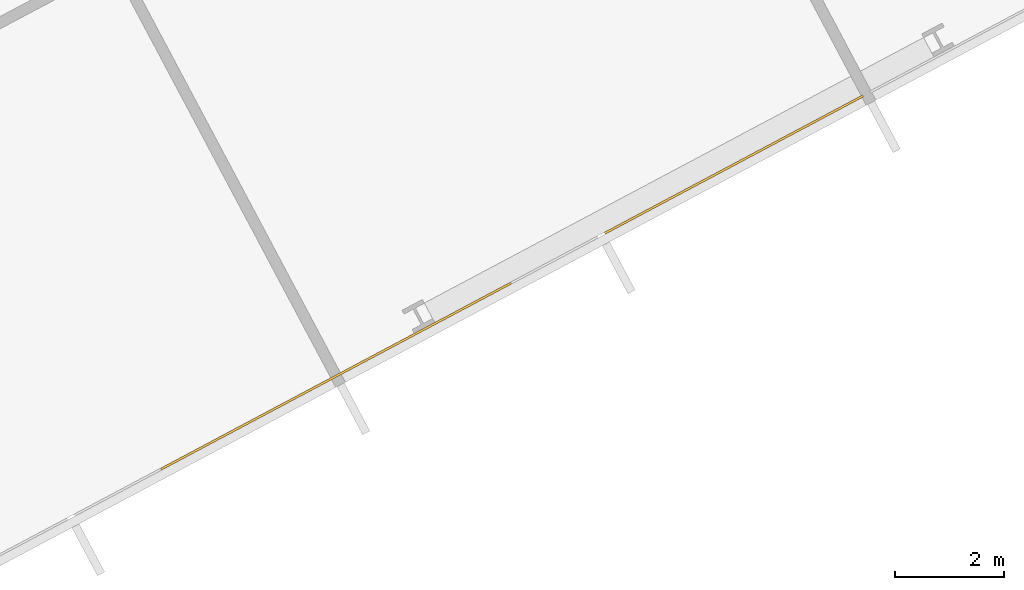
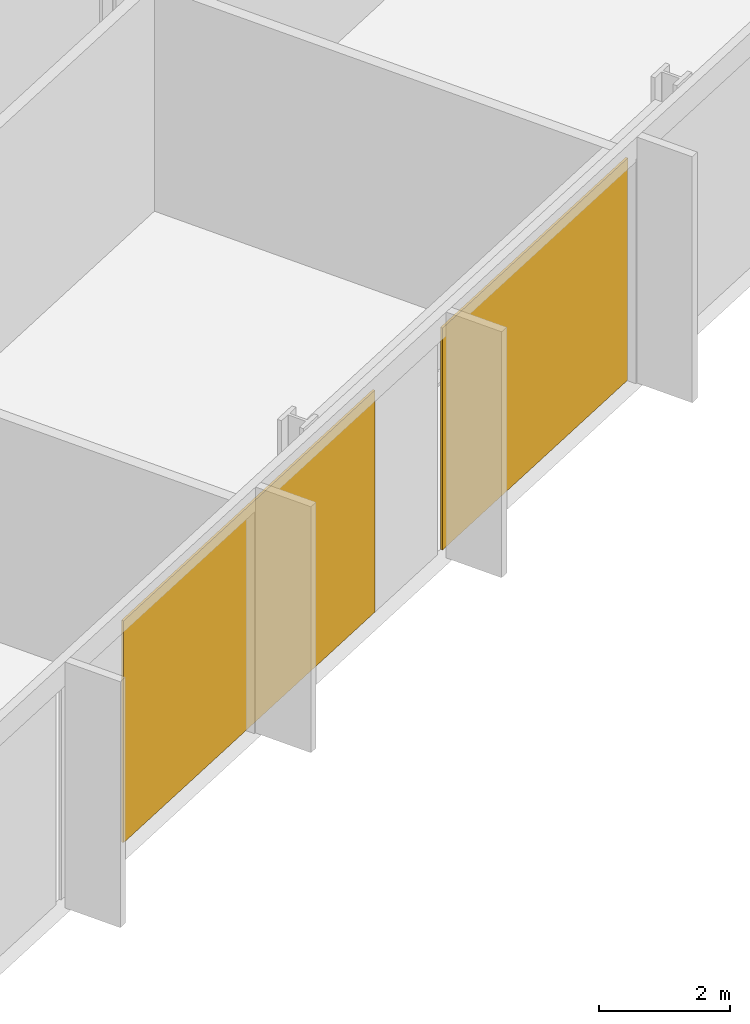
# One storey, part 28 of 32: 2 coverings, 1 element without a shape of its own.
"""IFC4 building model written with IfcOpenShell, lengths in metres."""

from ifc_helpers import new_model, si_unit, direction, frame, origin, origin_2d, place, context, subcontext, project, spatial, rectangle, extrude, material, layer, layer_set, type_object, element, aggregate, save


model = new_model("IFC4")

# Units and contexts
model_context = context("Model", 3, precision=1e-05, world=origin(), true_north=direction((0.0, 1.0)))
body_context = subcontext(model_context, "Body", "Model", "MODEL_VIEW")
ifc_project = project(units=[si_unit("LENGTHUNIT", "METRE"), si_unit("AREAUNIT", "SQUARE_METRE"), si_unit("VOLUMEUNIT", "CUBIC_METRE"), si_unit("PLANEANGLEUNIT", "RADIAN"), si_unit("MASSUNIT", "GRAM", prefix="KILO")], contexts=[model_context])

# Site, building, storey
site_placement = place(None, origin())
site = spatial("IfcSite", under=ifc_project, at=site_placement, CompositionType="ELEMENT")
building_placement = place(site_placement, origin())
building = spatial("IfcBuilding", under=site, at=building_placement, Name="Cormorant Relay Tower", CompositionType="ELEMENT")
storey_placement = place(building_placement, frame((0.0, 0.0, 70.800048828125)))
storey = spatial("IfcBuildingStorey", under=building, at=storey_placement, Name="L13", CompositionType="ELEMENT", Elevation=70.800048828125)

# Curtain wall, coverings
ifc_material_1 = material(Name="Aluminium 6063-T6 anodised bronze", Category="aluminium")
ifc_layer_1 = layer(ifc_material_1, 0.199951171875)
ifc_layer_set_1 = layer_set([ifc_layer_1], Name="CW1 unitised bronze curtain wall with vertical fins")
curtain_wall_type = type_object("IfcCurtainWallType", Name="CW1 unitised bronze curtain wall with vertical fins", PredefinedType="NOTDEFINED", material=ifc_layer_set_1)
curtain_wall_placement = place(storey_placement, origin())
curtain_wall = element("IfcCurtainWall", 1, at=curtain_wall_placement, inside=storey, type_object=curtain_wall_type, Name="CW1 curtain wall 2", PredefinedType="NOTDEFINED")
ifc_material_2 = material(Name="Pale bronze anodised aluminium insulated panel", Category="aluminium")
ifc_layer_2 = layer(ifc_material_2, 0.0400390625)
ifc_layer_set_2 = layer_set([ifc_layer_2], Name="CW1 pale bronze insulated panel 40")
covering_type = type_object("IfcCoveringType", Name="CW1 pale bronze insulated panel 40", PredefinedType="CLADDING", material=ifc_layer_set_2)
covering_1_placement = place(storey_placement, frame((51.324951171875, 3.4833984375, 0.0), z_axis=(0.0, 0.0, 1.0), x_axis=(0.882947592859, 0.469471562786, 0.0)))
covering_1 = element("IfcCovering", 2, at=covering_1_placement, type_object=covering_type, Name="CW1 panel S10", PredefinedType="CLADDING", context=body_context, shape_type="SweptSolid", body=[
    extrude(rectangle(XDim=7.273681640625, YDim=0.0400390625, at=origin_2d()), origin(), (0.0, 0.0, 1.0), 4.14990234375),
])
covering_2_placement = place(storey_placement, frame((58.625, 7.36474609375, 0.0), z_axis=(0.0, 0.0, 1.0), x_axis=(0.882947592859, 0.469471562786, 0.0)))
covering_2 = element("IfcCovering", 3, at=covering_2_placement, type_object=covering_type, Name="CW1 panel S12", PredefinedType="CLADDING", context=body_context, shape_type="SweptSolid", body=[
    extrude(rectangle(XDim=5.36181640625, YDim=0.0400390625, at=origin_2d()), origin(), (0.0, 0.0, 1.0), 4.14990234375),
])
aggregate(curtain_wall, [covering_1, covering_2])

save(model, "model.ifc")
